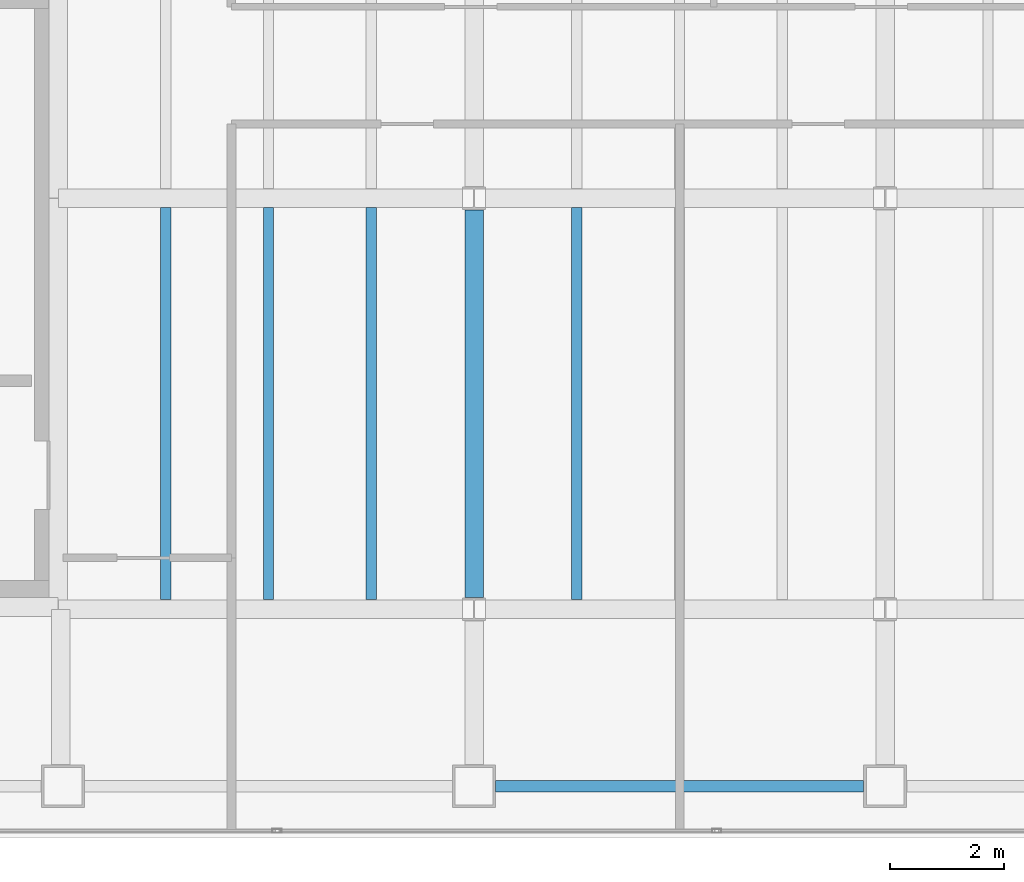
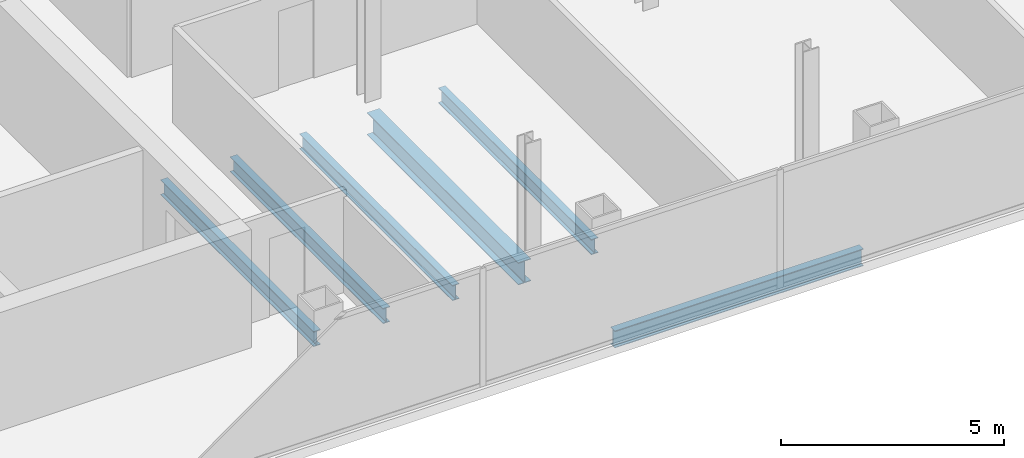
# One storey, part 5 of 23: 6 beams.
"""IFC4 building model written with IfcOpenShell, lengths in metres."""

from ifc_helpers import new_model, si_unit, direction, frame, origin, origin_2d, place, context, subcontext, project, spatial, i_section, extrude, material, material_profile, profile_set, type_object, element, save


model = new_model("IFC4")

# Units and contexts
model_context = context("Model", 3, precision=1e-05, world=origin(), true_north=direction((0.0, 1.0)))
body_context = subcontext(model_context, "Body", "Model", "MODEL_VIEW")
ifc_project = project(units=[si_unit("LENGTHUNIT", "METRE"), si_unit("AREAUNIT", "SQUARE_METRE"), si_unit("VOLUMEUNIT", "CUBIC_METRE"), si_unit("PLANEANGLEUNIT", "RADIAN"), si_unit("MASSUNIT", "GRAM", prefix="KILO")], contexts=[model_context])

# Site, building, storey
site_placement = place(None, origin())
site = spatial("IfcSite", under=ifc_project, at=site_placement, CompositionType="ELEMENT")
building_placement = place(site_placement, origin())
building = spatial("IfcBuilding", under=site, at=building_placement, Name="Cobrela Telecom Tower", CompositionType="ELEMENT")
storey_placement = place(building_placement, frame((0.0, 0.0, 215.25)))
storey = spatial("IfcBuildingStorey", under=building, at=storey_placement, Name="L55", CompositionType="ELEMENT", Elevation=215.25)

# Beams
ifc_material = material(Name="Steel ASTM A992 Grade 50", Category="steel")
ifc_material_profile_1 = material_profile(ifc_material, i_section(OverallWidth=0.324951171875, OverallDepth=0.612060546875, WebThickness=0.0126953125, FlangeThickness=0.01904296875, FilletRadius=0.014892578125, at=origin_2d()), Name="W24X104")
ifc_profile_set_1 = profile_set([ifc_material_profile_1], Name="Steel ASTM A992 Grade 50")
beam_type_1 = type_object("IfcBeamType", Name="BM-GIRD-07", PredefinedType="USERDEFINED", material=ifc_profile_set_1)
beam_1_placement = place(storey_placement, frame((21.60009765625, 7.404541015625, -0.56591796875), z_axis=(0.0, 1.0, 0.0), x_axis=(-1.0, 0.0, 0.0)))
element("IfcBeam", 1, at=beam_1_placement, inside=storey, type_object=beam_type_1, Name="L55 Primary Girder Y33", ObjectType="GIRDER", PredefinedType="USERDEFINED", context=body_context, shape_type="SweptSolid", body=[
    extrude(i_section(OverallWidth=0.324951171875, OverallDepth=0.612060546875, WebThickness=0.0126953125, FlangeThickness=0.01904296875, FilletRadius=0.014892578125, at=origin_2d()), origin(), (0.0, 0.0, 1.0), 6.791015625),
])
ifc_material_profile_2 = material_profile(ifc_material, i_section(OverallWidth=0.179931640625, OverallDepth=0.4169921875, WebThickness=0.010986328125, FlangeThickness=0.01806640625, FilletRadius=0.011962890625, at=origin_2d()), Name="W16X57")
ifc_profile_set_2 = profile_set([ifc_material_profile_2], Name="Steel ASTM A992 Grade 50")
beam_type_2 = type_object("IfcBeamType", Name="BM-JOIST-04", PredefinedType="JOIST", material=ifc_profile_set_2)
for number, where, z_axis, x_axis, name in (
    (2, (16.199951171875, 7.367431640625, -0.468505859375), (0.0, 1.0, 0.0), (-1.0, 0.0, 0.0), "L55 Secondary Composite Floor Beam J01"),
    (3, (18.0, 7.367431640625, -0.468505859375), (0.0, 1.0, 0.0), (-1.0, 0.0, 0.0), "L55 Secondary Composite Floor Beam J05"),
    (4, (19.800048828125, 7.367431640625, -0.468505859375), (0.0, 1.0, 0.0), (-1.0, 0.0, 0.0), "L55 Secondary Composite Floor Beam J09"),
    (5, (23.39990234375, 7.367431640625, -0.468505859375), (0.0, 1.0, 0.0), (-1.0, 0.0, 0.0), "L55 Secondary Composite Floor Beam J13"),
):
    element("IfcBeam", number, at=place(storey_placement, frame(where, z_axis=z_axis, x_axis=x_axis)), inside=storey, type_object=beam_type_2, Name=name, PredefinedType="JOIST", context=body_context, shape_type="SweptSolid", body=[
        extrude(i_section(OverallWidth=0.179931640625, OverallDepth=0.4169921875, WebThickness=0.010986328125, FlangeThickness=0.01806640625, FilletRadius=0.011962890625, at=origin_2d()), origin(), (0.0, 0.0, 1.0), 6.864990234375),
    ])
ifc_material_profile_3 = material_profile(ifc_material, i_section(OverallWidth=0.193115234375, OverallDepth=0.467041015625, WebThickness=0.011474609375, FlangeThickness=0.01904296875, FilletRadius=0.012939453125, at=origin_2d()), Name="W18X65")
ifc_profile_set_3 = profile_set([ifc_material_profile_3], Name="Steel ASTM A992 Grade 50")
beam_type_3 = type_object("IfcBeamType", Name="BM-SPAND-05", PredefinedType="SPANDREL", material=ifc_profile_set_3)
beam_2_placement = place(storey_placement, frame((21.97998046875, 4.10009765625, -0.493408203125), z_axis=(1.0, 0.0, 0.0), x_axis=(0.0, 1.0, 0.0)))
element("IfcBeam", 6, at=beam_2_placement, inside=storey, type_object=beam_type_3, Name="L55 Perimeter Spandrel X03", PredefinedType="SPANDREL", context=body_context, shape_type="SweptSolid", body=[
    extrude(i_section(OverallWidth=0.193115234375, OverallDepth=0.467041015625, WebThickness=0.011474609375, FlangeThickness=0.01904296875, FilletRadius=0.012939453125, at=origin_2d()), origin(), (0.0, 0.0, 1.0), 6.43994140625),
])

save(model, "model.ifc")
